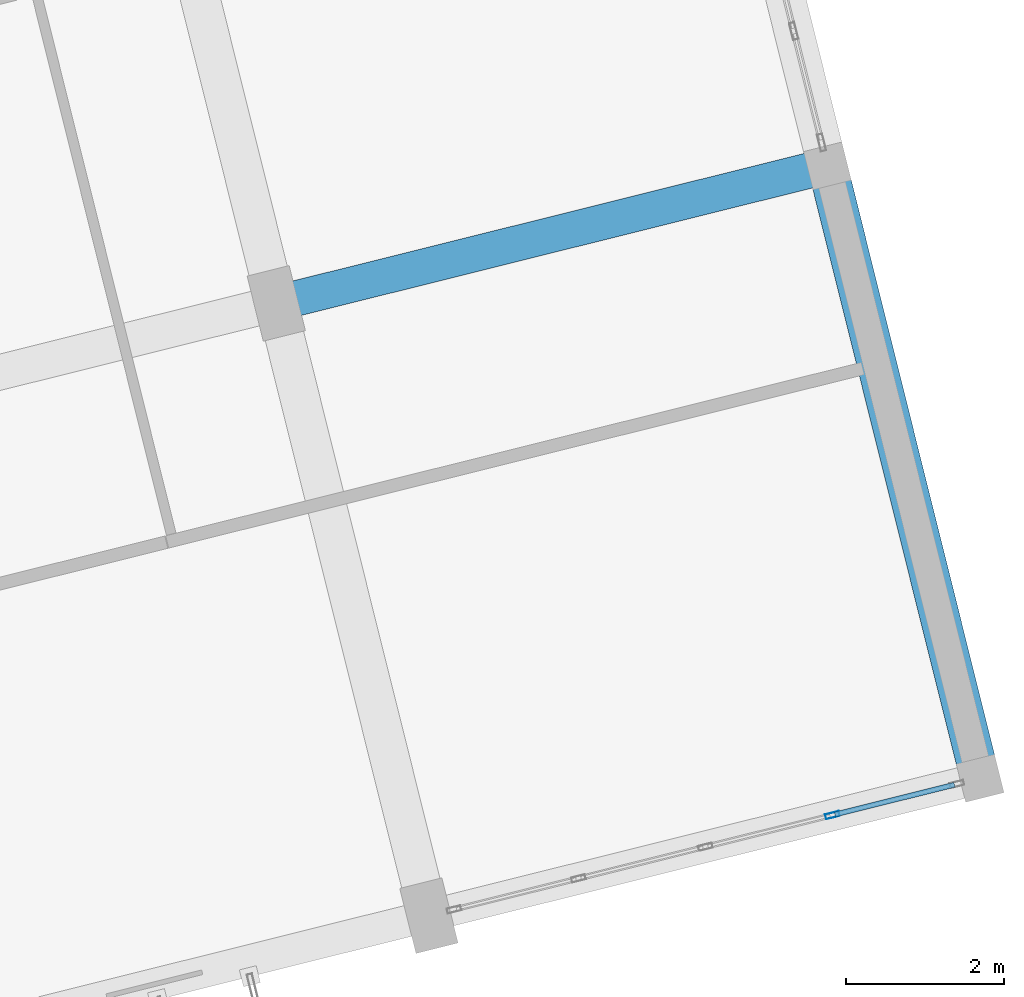
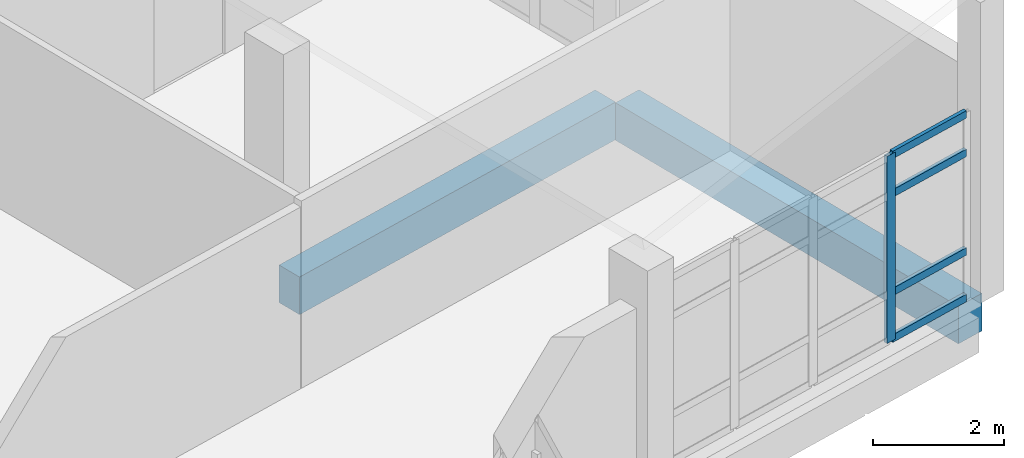
# One storey, part 110 of 164: 5 members, 2 beams, 1 element without a shape of its own.
"""IFC4 building model written with IfcOpenShell, lengths in metres."""

import ifcopenshell
import ifcopenshell.guid

model = None  # the IFC model being written
_history = None  # IfcOwnerHistory: only IFC2X3 demands one
_inside = {}  # id of a spatial element -> (the spatial element, [elements in it])
_under = {}  # id of a project, library or spatial element -> (it, [spatial elements below it])
_declared = {}  # id of a project -> (the project, [libraries it declares])
_typed = {}  # id of a type object -> (the type object, [elements of that type])
_made_of = {}  # id of a material, layer set ... -> (it, [elements and type objects made of it])


def new_model(schema):
    """Start an empty IFC model of exactly this schema.

    Asked for "IFC4X3", IfcOpenShell would pick the latest addendum, in which some entities
    have other attributes; the version numbers below select the first issue.
    IFC2X3 requires an IfcOwnerHistory on every rooted entity: one is made here for all.
    """
    global model, _history
    if schema == "IFC4X3":
        model = ifcopenshell.file(schema_version=(4, 3, 0, 0))
    else:
        model = ifcopenshell.file(schema=schema)
    _inside.clear()
    _under.clear()
    _declared.clear()
    _typed.clear()
    _made_of.clear()
    _history = None
    if model.schema == "IFC2X3":
        org = make("IfcOrganization", Name="unknown")
        user = make(
            "IfcPersonAndOrganization",
            ThePerson=make("IfcPerson", FamilyName="unknown"),
            TheOrganization=org,
        )
        app = make(
            "IfcApplication",
            ApplicationDeveloper=org,
            Version="unknown",
            ApplicationFullName="unknown",
            ApplicationIdentifier="unknown",
        )
        _history = make(
            "IfcOwnerHistory",
            OwningUser=user,
            OwningApplication=app,
            ChangeAction="ADDED",
            CreationDate=0,
        )
    return model


def make(cls, **values):
    """One entity of the class cls with the attributes given. An attribute that is None is left unset."""
    return model.create_entity(
        cls, **{name: value for name, value in values.items() if value is not None}
    )


def rooted(cls, **values):
    """An entity with a GlobalId (a new one), such as an element, a storey or a relation."""
    return make(cls, GlobalId=ifcopenshell.guid.new(), OwnerHistory=_history, **values)


def si_unit(unit_type, name, prefix=None):
    """IfcSIUnit, for example si_unit("LENGTHUNIT", "METRE", prefix="MILLI")."""
    return make("IfcSIUnit", UnitType=unit_type, Prefix=prefix, Name=name)


def assignment(units):
    """IfcUnitAssignment: the units of a project."""
    return None if units is None else make("IfcUnitAssignment", Units=units)


def point(xyz):
    """IfcCartesianPoint."""
    return None if xyz is None else make("IfcCartesianPoint", Coordinates=xyz)


def direction(xyz):
    """IfcDirection."""
    return None if xyz is None else make("IfcDirection", DirectionRatios=xyz)


def frame(location, z_axis=None, x_axis=None):
    """IfcAxis2Placement3D, a coordinate frame: its origin and axes. An axis left out is left unset."""
    return make(
        "IfcAxis2Placement3D",
        Location=point(location),
        Axis=direction(z_axis),
        RefDirection=direction(x_axis),
    )


def frame_2d(location, x_axis=None):
    """IfcAxis2Placement2D, a coordinate frame in the plane: its origin and x axis."""
    return make(
        "IfcAxis2Placement2D", Location=point(location), RefDirection=direction(x_axis)
    )


def origin():
    """The frame at (0, 0, 0) with its axes left unset."""
    return frame((0.0, 0.0, 0.0))


def origin_2d():
    """The frame at (0, 0) in the plane with its x axis left unset."""
    return frame_2d((0.0, 0.0))


def place(relative_to, where):
    """IfcLocalPlacement: puts the frame where relative to a parent placement (None: the world)."""
    return make(
        "IfcLocalPlacement", PlacementRelTo=relative_to, RelativePlacement=where
    )


def context(
    kind, dimensions, precision=None, world=None, true_north=None, identifier=None
):
    """IfcGeometricRepresentationContext, for example the 3D "Model" context."""
    return make(
        "IfcGeometricRepresentationContext",
        ContextIdentifier=identifier,
        ContextType=kind,
        CoordinateSpaceDimension=dimensions,
        Precision=precision,
        WorldCoordinateSystem=world,
        TrueNorth=true_north,
    )


def subcontext(parent, identifier, kind, view, scale=None):
    """IfcGeometricRepresentationSubContext, for example "Body" below "Model"."""
    return make(
        "IfcGeometricRepresentationSubContext",
        ContextIdentifier=identifier,
        ContextType=kind,
        ParentContext=parent,
        TargetScale=scale,
        TargetView=view,
    )


def project(units=None, contexts=None):
    """IfcProject with its units and contexts."""
    return rooted(
        "IfcProject",
        Name="project",
        RepresentationContexts=contexts,
        UnitsInContext=assignment(units),
    )


def spatial(cls, under=None, at=None, **own):
    """A site, building, storey or space (cls), placed at a placement, below another one or the project."""
    s = rooted(cls, ObjectPlacement=at, **own)
    if under is not None:
        _under.setdefault(under.id(), (under, []))[1].append(s)
    return s


def profile(cls, at=None, kind="AREA", **sizes):
    """A parametric profile (cls). Its sizes go by their IFC names, for example OverallWidth=200.0."""
    return make(cls, ProfileType=kind, Position=at, **sizes)


def rectangle(**sizes):
    """IfcRectangleProfileDef."""
    return profile("IfcRectangleProfileDef", **sizes)


def hollow_rectangle(**sizes):
    """IfcRectangleHollowProfileDef."""
    return profile("IfcRectangleHollowProfileDef", **sizes)


def extrude(swept, where, along, depth):
    """IfcExtrudedAreaSolid: the profile swept, set in the frame where, extruded along a direction by depth."""
    return make(
        "IfcExtrudedAreaSolid",
        SweptArea=swept,
        Position=where,
        ExtrudedDirection=direction(along),
        Depth=depth,
    )


def shape(context_of_items, identifier, shape_type, items):
    """IfcShapeRepresentation: the items that make up one representation, for example the "Body"."""
    return make(
        "IfcShapeRepresentation",
        ContextOfItems=context_of_items,
        RepresentationIdentifier=identifier,
        RepresentationType=shape_type,
        Items=items,
    )


def material(Name=None, Category=None):
    """IfcMaterial."""
    return make("IfcMaterial", Name=Name, Category=Category)


def layer(
    of_material, thickness, ventilated=None, Name=None, Category=None, Priority=None
):
    """IfcMaterialLayer: one layer of a wall or slab, of a material (None: an air gap)."""
    return make(
        "IfcMaterialLayer",
        Material=of_material,
        LayerThickness=thickness,
        IsVentilated=ventilated,
        Name=Name,
        Category=Category,
        Priority=Priority,
    )


def layer_set(layers, Name=None):
    """IfcMaterialLayerSet."""
    return make("IfcMaterialLayerSet", MaterialLayers=layers, LayerSetName=Name)


def material_profile(
    of_material, cross_section, Name=None, Category=None, Priority=None
):
    """IfcMaterialProfile: a cross section and its material."""
    return make(
        "IfcMaterialProfile",
        Name=Name,
        Material=of_material,
        Profile=cross_section,
        Priority=Priority,
        Category=Category,
    )


def profile_set(profiles, Name=None, composite=None):
    """IfcMaterialProfileSet."""
    return make(
        "IfcMaterialProfileSet",
        Name=Name,
        MaterialProfiles=profiles,
        CompositeProfile=composite,
    )


def made_of(thing, what):
    """Note that an element or type object is made of a material, layer set ...; save() writes the relation."""
    if what is not None:
        _made_of.setdefault(what.id(), (what, []))[1].append(thing)
    return thing


def type_object(cls, material=None, **own):
    """A type object (cls), such as IfcWallType, which elements share."""
    return made_of(rooted(cls, **own), material)


def element(
    cls,
    number,
    at=None,
    inside=None,
    cuts=None,
    type_object=None,
    material=None,
    context=None,
    identifier="Body",
    shape_type=None,
    held_by="IfcProductDefinitionShape",
    body=None,
    shapes=None,
    **own,
):
    """One element of the class cls, such as IfcWall. Its Tag is "e" and its number.

    at: its placement. inside: the storey or other place that contains it. cuts: it is an
    opening in that element (IfcRelVoidsElement). A single representation is given by context,
    identifier, shape_type and body (its items); several are given by shapes. held_by: the class
    of the entity that holds the representations. save() writes the other relations.
    """
    e = rooted(cls, Tag="e%d" % number, ObjectPlacement=at, **own)
    if body is not None:
        shapes = [shape(context, identifier, shape_type, body)]
    if shapes is not None:
        e.Representation = make(held_by, Representations=shapes)
    if inside is not None:
        _inside.setdefault(inside.id(), (inside, []))[1].append(e)
    if cuts is not None:
        rooted(
            "IfcRelVoidsElement", RelatingBuildingElement=cuts, RelatedOpeningElement=e
        )
    if type_object is not None:
        _typed.setdefault(type_object.id(), (type_object, []))[1].append(e)
    return made_of(e, material)


def aggregate(whole, parts):
    """IfcRelAggregates: a whole, such as a stair, and the parts it consists of."""
    return rooted("IfcRelAggregates", RelatingObject=whole, RelatedObjects=parts)


def save(model, path):
    """Write the relations noted so far, then the file.

    IfcRelAggregates (storeys below a building ...), IfcRelContainedInSpatialStructure (elements
    in a storey), IfcRelDefinesByType, IfcRelAssociatesMaterial and IfcRelDeclares: one each for
    every whole, place, type object, material and project.
    """
    for whole, parts in _under.values():
        aggregate(whole, parts)
    for where, things in _inside.values():
        rooted(
            "IfcRelContainedInSpatialStructure",
            RelatedElements=things,
            RelatingStructure=where,
        )
    for kind, things in _typed.values():
        rooted("IfcRelDefinesByType", RelatedObjects=things, RelatingType=kind)
    for what, things in _made_of.values():
        rooted("IfcRelAssociatesMaterial", RelatedObjects=things, RelatingMaterial=what)
    for by, libraries in _declared.values():
        rooted("IfcRelDeclares", RelatingContext=by, RelatedDefinitions=libraries)
    model.write(path)


model = new_model("IFC4")

# Units and contexts
model_context = context("Model", 3, precision=1e-05, world=origin(), true_north=direction((0.0, 1.0)))
body_context = subcontext(model_context, "Body", "Model", "MODEL_VIEW")
ifc_project = project(units=[si_unit("LENGTHUNIT", "METRE"), si_unit("AREAUNIT", "SQUARE_METRE"), si_unit("VOLUMEUNIT", "CUBIC_METRE"), si_unit("PLANEANGLEUNIT", "RADIAN"), si_unit("MASSUNIT", "GRAM", prefix="KILO")], contexts=[model_context])

# Site, building, storey
site_placement = place(None, origin())
site = spatial("IfcSite", under=ifc_project, at=site_placement, CompositionType="ELEMENT")
building_placement = place(site_placement, origin())
building = spatial("IfcBuilding", under=site, at=building_placement, Name="Mawjan Specialist Oncology Clinic", CompositionType="ELEMENT")
storey_placement = place(building_placement, frame((0.0, 0.0, 5.0)))
storey = spatial("IfcBuildingStorey", under=building, at=storey_placement, Name="L01", CompositionType="ELEMENT", Elevation=5.0)

# Beam
ifc_material_1 = material(Name="Concrete C40/50", Category="concrete")
ifc_material_profile_1 = material_profile(ifc_material_1, rectangle(XDim=0.449951171875, YDim=0.699951171875, at=origin_2d()), Name="RC BM 450x700", Category="concrete")
ifc_profile_set_1 = profile_set([ifc_material_profile_1], Name="Concrete C40/50")
beam_type_1 = type_object("IfcBeamType", Name="BM-450x700", PredefinedType="BEAM", material=ifc_profile_set_1)
beam_1_placement = place(storey_placement, frame((152.261474609375, 15.592529296875, -0.64990234375), z_axis=(0.970296517902, 0.24191872054, 0.0), x_axis=(-0.24191872054, 0.970296517902, 0.0)))
element("IfcBeam", 1, at=beam_1_placement, inside=storey, type_object=beam_type_1, Name="L01 Collector Beam BM-L01-0594", PredefinedType="BEAM", context=body_context, shape_type="SweptSolid", body=[
    extrude(rectangle(XDim=0.449951171875, YDim=0.699951171875, at=origin_2d()), origin(), (0.0, 0.0, 1.0), 6.705078125),
])

# Curtain wall, members
ifc_material_2 = material(Name="Unitised spectrally selective aluminium curtain wall", Category="aluminium")
ifc_layer = layer(ifc_material_2, 0.179931640625, Name="Unitised spectrally selective aluminium curtain wall", Category="aluminium")
ifc_layer_set = layer_set([ifc_layer], Name="Unitised spectrally selective aluminium curtain wall")
curtain_wall_type = type_object("IfcCurtainWallType", Name="CW-43", PredefinedType="NOTDEFINED", material=ifc_layer_set)
curtain_wall_placement = place(storey_placement, origin())
curtain_wall = element("IfcCurtainWall", 2, at=curtain_wall_placement, inside=storey, type_object=curtain_wall_type, Name="L01 Unitised Curtain Wall CW-L01-087", PredefinedType="NOTDEFINED")
ifc_material_3 = material(Name="Thermally broken aluminium 6063-T6", Category="aluminium")
ifc_material_profile_2 = material_profile(ifc_material_3, hollow_rectangle(XDim=0.06494140625, YDim=0.179931640625, WallThickness=0.00390625, at=origin_2d()), Name="ALU MULLION 180x65x4", Category="aluminium")
ifc_profile_set_2 = profile_set([ifc_material_profile_2], Name="Thermally broken aluminium 6063-T6")
member_type_1 = type_object("IfcMemberType", Name="CW-M180", PredefinedType="MULLION", material=ifc_profile_set_2)
member_1_placement = place(storey_placement, frame((159.05908203125, 9.04248046875, 0.0), z_axis=(0.0, 0.0, 1.0), x_axis=(0.241922074178, -0.970295681751, 0.0)))
member_1 = element("IfcMember", 3, at=member_1_placement, type_object=member_type_1, Name="CW-43 mullion 2", PredefinedType="MULLION", context=body_context, shape_type="SweptSolid", body=[
    extrude(hollow_rectangle(XDim=0.06494140625, YDim=0.179931640625, WallThickness=0.00390625, at=origin_2d()), origin(), (0.0, 0.0, 1.0), 3.485107421875),
])
ifc_material_4 = material(Name="Thermally broken aluminium 6063-T6", Category="aluminium")
ifc_material_profile_3 = material_profile(ifc_material_4, hollow_rectangle(XDim=0.06494140625, YDim=0.139892578125, WallThickness=0.00390625, at=origin_2d()), Name="ALU TRANSOM 140x65x4", Category="aluminium")
ifc_profile_set_3 = profile_set([ifc_material_profile_3], Name="Thermally broken aluminium 6063-T6")
member_type_2 = type_object("IfcMemberType", Name="CW-T140", PredefinedType="USERDEFINED", material=ifc_profile_set_3)
member_2_placement = place(storey_placement, frame((160.605712890625, 9.42822265625, 0.032470703125), z_axis=(-0.970298672181, -0.241910079914, 0.0), x_axis=(0.241910079914, -0.970298672181, 0.0)))
member_2 = element("IfcMember", 4, at=member_2_placement, type_object=member_type_2, Name="CW-43 transom 1.1", ObjectType="TRANSOM", PredefinedType="USERDEFINED", context=body_context, shape_type="SweptSolid", body=[
    extrude(hollow_rectangle(XDim=0.06494140625, YDim=0.139892578125, WallThickness=0.00390625, at=origin_2d()), origin(), (0.0, 0.0, 1.0), 1.561279296875),
])
member_3_placement = place(storey_placement, frame((160.605712890625, 9.42822265625, 0.89990234375), z_axis=(-0.970298672181, -0.241910079914, 0.0), x_axis=(0.241910079914, -0.970298672181, 0.0)))
member_3 = element("IfcMember", 5, at=member_3_placement, type_object=member_type_2, Name="CW-43 transom 1.2", ObjectType="TRANSOM", PredefinedType="USERDEFINED", context=body_context, shape_type="SweptSolid", body=[
    extrude(hollow_rectangle(XDim=0.06494140625, YDim=0.139892578125, WallThickness=0.00390625, at=origin_2d()), origin(), (0.0, 0.0, 1.0), 1.561279296875),
])
member_4_placement = place(storey_placement, frame((160.605712890625, 9.42822265625, 2.735107421875), z_axis=(-0.970298672181, -0.241910079914, 0.0), x_axis=(0.241910079914, -0.970298672181, 0.0)))
member_4 = element("IfcMember", 6, at=member_4_placement, type_object=member_type_2, Name="CW-43 transom 1.3", ObjectType="TRANSOM", PredefinedType="USERDEFINED", context=body_context, shape_type="SweptSolid", body=[
    extrude(hollow_rectangle(XDim=0.06494140625, YDim=0.139892578125, WallThickness=0.00390625, at=origin_2d()), origin(), (0.0, 0.0, 1.0), 1.561279296875),
])
member_5_placement = place(storey_placement, frame((160.605712890625, 9.42822265625, 3.452392578125), z_axis=(-0.970298672181, -0.241910079914, 0.0), x_axis=(0.241910079914, -0.970298672181, 0.0)))
member_5 = element("IfcMember", 7, at=member_5_placement, type_object=member_type_2, Name="CW-43 transom 1.4", ObjectType="TRANSOM", PredefinedType="USERDEFINED", context=body_context, shape_type="SweptSolid", body=[
    extrude(hollow_rectangle(XDim=0.06494140625, YDim=0.139892578125, WallThickness=0.00390625, at=origin_2d()), origin(), (0.0, 0.0, 1.0), 1.561279296875),
])
aggregate(curtain_wall, [member_1, member_2, member_3, member_4, member_5])

# Beam
ifc_material_5 = material(Name="Concrete C45/55", Category="concrete")
ifc_material_profile_4 = material_profile(ifc_material_5, rectangle(XDim=0.5, YDim=0.699951171875, at=origin_2d()), Name="RC BM 500x700", Category="concrete")
ifc_profile_set_4 = profile_set([ifc_material_profile_4], Name="Concrete C45/55")
beam_type_2 = type_object("IfcBeamType", Name="SP-500x700", PredefinedType="SPANDREL", material=ifc_profile_set_4)
beam_2_placement = place(storey_placement, frame((160.873779296875, 9.7373046875, -0.64990234375), z_axis=(-0.241940521765, 0.970291082061, 0.0), x_axis=(-0.970291082061, -0.241940521765, 0.0)))
element("IfcBeam", 8, at=beam_2_placement, inside=storey, type_object=beam_type_2, Name="L01 Spandrel Beam BM-L01-0635", PredefinedType="SPANDREL", context=body_context, shape_type="SweptSolid", body=[
    extrude(rectangle(XDim=0.5, YDim=0.699951171875, at=origin_2d()), origin(), (0.0, 0.0, 1.0), 7.52978515625),
])

save(model, "model.ifc")
